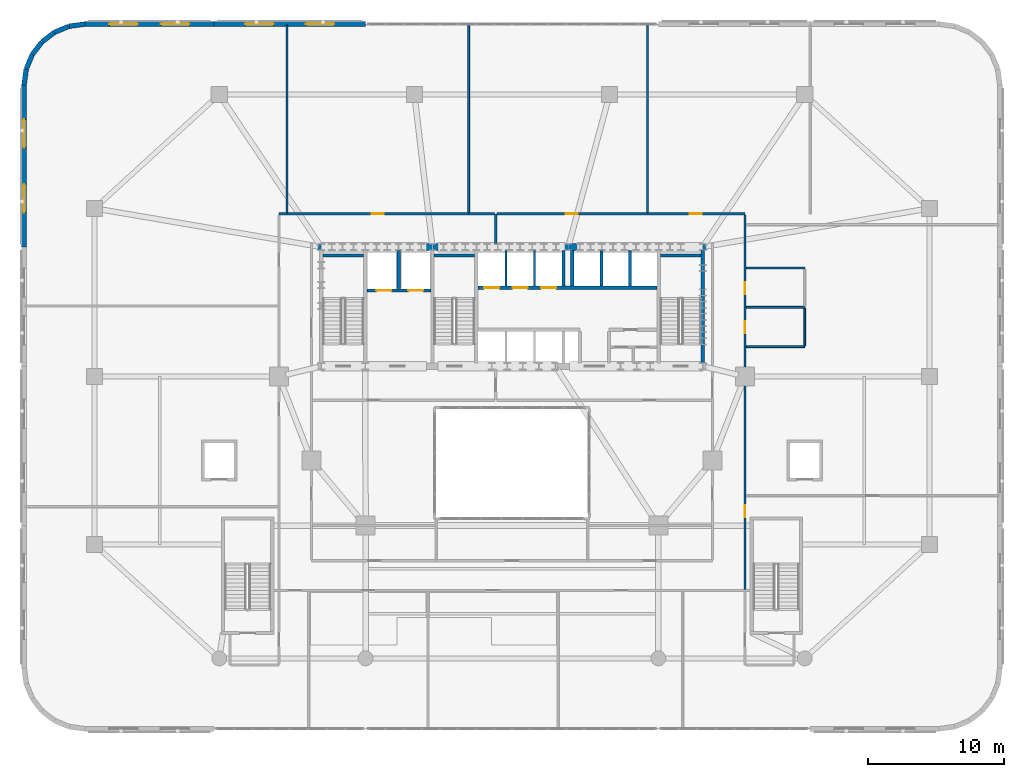
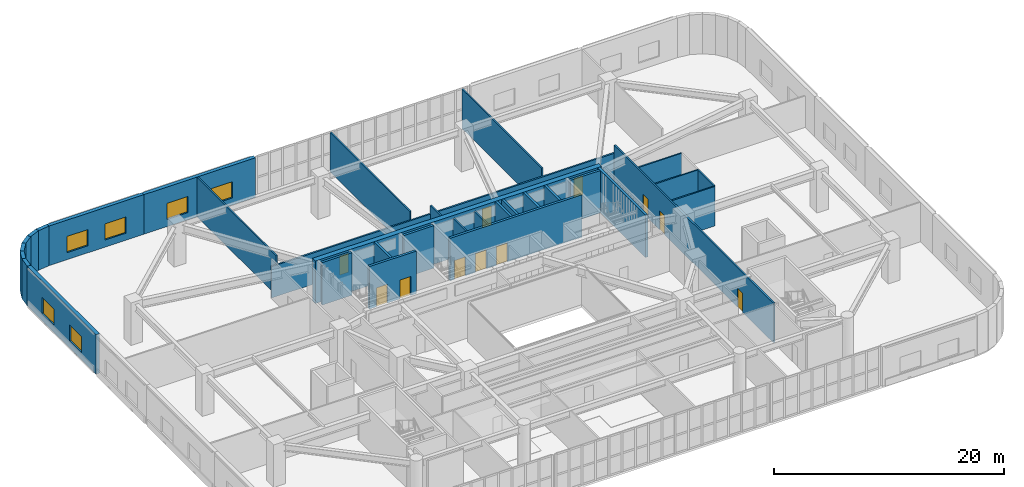
# One storey, part 16 of 25: 34 walls, 11 doors, 6 windows, 17 openings.
"""IFC4 building model written with IfcOpenShell, lengths in metres."""

from ifc_helpers import new_model, si_unit, direction, frame, frame_2d, origin, place, context, subcontext, project, spatial, rectangle, extrude, material, layer, layer_set, type_object, element, fill, save


model = new_model("IFC4")

# Units and contexts
model_context = context("Model", 3, precision=1e-05, world=origin(), true_north=direction((0.0, 1.0)))
body_context = subcontext(model_context, "Body", "Model", "MODEL_VIEW")
ifc_project = project(units=[si_unit("LENGTHUNIT", "METRE"), si_unit("AREAUNIT", "SQUARE_METRE"), si_unit("VOLUMEUNIT", "CUBIC_METRE"), si_unit("PLANEANGLEUNIT", "RADIAN"), si_unit("MASSUNIT", "GRAM", prefix="KILO")], contexts=[model_context])

# Site, building, storey
site_placement = place(None, origin())
site = spatial("IfcSite", under=ifc_project, at=site_placement, CompositionType="ELEMENT")
building_placement = place(site_placement, origin())
building = spatial("IfcBuilding", under=site, at=building_placement, Name="Haldorwick Loom Tower", CompositionType="ELEMENT")
storey_placement = place(building_placement, frame((0.0, 0.0, 15.0)))
storey = spatial("IfcBuildingStorey", under=building, at=storey_placement, Name="L03", CompositionType="ELEMENT", Elevation=15.0)

# Wall, openings, windows
ifc_material_1 = material(Name="Pressed Clay Face Brick and Insulated Masonry Backup Assembly", Category="masonry")
ifc_layer_1 = layer(ifc_material_1, 0.360107421875, Name="Pressed Clay Face Brick and Insulated Masonry Backup Assembly", Category="masonry")
ifc_layer_set_1 = layer_set([ifc_layer_1], Name="Pressed Clay Face Brick and Insulated Masonry Backup Assembly")
wall_type_1 = type_object("IfcWallType", Name="ARC-WL-EXT360", PredefinedType="STANDARD", material=ifc_layer_set_1)
wall_1_placement = place(storey_placement, frame((25.199951171875, 52.0, 0.0), z_axis=(0.0, 0.0, 1.0), x_axis=(-1.0, 0.0, 0.0)))
wall_1 = element("IfcWall", 1, at=wall_1_placement, inside=storey, type_object=wall_type_1, Name="L03 Brick Pier and Spandrel Wall 20", PredefinedType="STANDARD", context=body_context, shape_type="SweptSolid", body=[
    extrude(rectangle(XDim=11.199951171875, YDim=0.360107421875, at=frame_2d((5.60009765625, 0.0))), origin(), (0.0, 0.0, 1.0), 4.199951171875),
])
opening_1_placement = place(wall_1_placement, frame((2.31005859375, 0.0, 0.75)))
opening_1 = element("IfcOpeningElement", 2, at=opening_1_placement, cuts=wall_1, Name="Opening W-04", PredefinedType="OPENING", context=body_context, shape_type="SweptSolid", body=[
    extrude(rectangle(XDim=2.10009765625, YDim=1.719970703125, at=frame_2d((1.050048828125, 0.85986328125))), frame((0.0, 0.18994140625, 0.0), z_axis=(0.0, -1.0, 0.0), x_axis=(1.0, 0.0, 0.0)), (0.0, 0.0, 1.0), 0.380126953125),
])
opening_2_placement = place(wall_1_placement, frame((6.7900390625, 0.0, 0.75)))
opening_2 = element("IfcOpeningElement", 3, at=opening_2_placement, cuts=wall_1, Name="Opening W-04", PredefinedType="OPENING", context=body_context, shape_type="SweptSolid", body=[
    extrude(rectangle(XDim=2.10009765625, YDim=1.719970703125, at=frame_2d((1.050048828125, 0.85986328125))), frame((0.0, 0.18994140625, 0.0), z_axis=(0.0, -1.0, 0.0), x_axis=(1.0, 0.0, 0.0)), (0.0, 0.0, 1.0), 0.380126953125),
])
ifc_material_2 = material(Name="Triple-Glazed Low-E Argon Insulated Glazing Unit", Category="glass")
window_type = type_object("IfcWindowType", Name="ARC-WIN-W210", PartitioningType="SINGLE_PANEL", PredefinedType="WINDOW", material=ifc_material_2)
window_1_placement = place(opening_1_placement, origin())
window_1 = element("IfcWindow", 4, at=window_1_placement, inside=storey, type_object=window_type, Name="L03 Deep-Set Zone 7A Window 20", OverallHeight=1.719970703125, OverallWidth=2.10009765625, PartitioningType="SINGLE_PANEL", PredefinedType="WINDOW", context=body_context, shape_type="SweptSolid", body=[
    extrude(rectangle(XDim=2.10009765625, YDim=1.719970703125, at=frame_2d((1.050048828125, 0.85986328125))), frame((0.0, 0.030029296875, 0.0), z_axis=(0.0, -1.0, 0.0), x_axis=(1.0, 0.0, 0.0)), (0.0, 0.0, 1.0), 0.06005859375),
])
fill(opening_1, window_1)
window_2_placement = place(opening_2_placement, origin())
window_2 = element("IfcWindow", 5, at=window_2_placement, inside=storey, type_object=window_type, Name="L03 Deep-Set Zone 7A Window 20", OverallHeight=1.719970703125, OverallWidth=2.10009765625, PartitioningType="SINGLE_PANEL", PredefinedType="WINDOW", context=body_context, shape_type="SweptSolid", body=[
    extrude(rectangle(XDim=2.10009765625, YDim=1.719970703125, at=frame_2d((1.050048828125, 0.85986328125))), frame((0.0, 0.030029296875, 0.0), z_axis=(0.0, -1.0, 0.0), x_axis=(1.0, 0.0, 0.0)), (0.0, 0.0, 1.0), 0.06005859375),
])
fill(opening_2, window_2)

wall_2_placement = place(storey_placement, frame((14.0, 52.0, 0.0), z_axis=(0.0, 0.0, 1.0), x_axis=(-1.0, 0.0, 0.0)))
wall_2 = element("IfcWall", 6, at=wall_2_placement, inside=storey, type_object=wall_type_1, Name="L03 Brick Pier and Spandrel Wall 21", PredefinedType="STANDARD", context=body_context, shape_type="SweptSolid", body=[
    extrude(rectangle(XDim=9.5, YDim=0.360107421875, at=frame_2d((4.75, 0.0))), origin(), (0.0, 0.0, 1.0), 4.199951171875),
])
opening_3_placement = place(wall_2_placement, frame((1.800048828125, 0.0, 0.75)))
opening_3 = element("IfcOpeningElement", 7, at=opening_3_placement, cuts=wall_2, Name="Opening W-04", PredefinedType="OPENING", context=body_context, shape_type="SweptSolid", body=[
    extrude(rectangle(XDim=2.10009765625, YDim=1.719970703125, at=frame_2d((1.050048828125, 0.85986328125))), frame((0.0, 0.18994140625, 0.0), z_axis=(0.0, -1.0, 0.0), x_axis=(1.0, 0.0, 0.0)), (0.0, 0.0, 1.0), 0.380126953125),
])
opening_4_placement = place(wall_2_placement, frame((5.60009765625, 0.0, 0.75)))
opening_4 = element("IfcOpeningElement", 8, at=opening_4_placement, cuts=wall_2, Name="Opening W-04", PredefinedType="OPENING", context=body_context, shape_type="SweptSolid", body=[
    extrude(rectangle(XDim=2.10009765625, YDim=1.719970703125, at=frame_2d((1.050048828125, 0.85986328125))), frame((0.0, 0.18994140625, 0.0), z_axis=(0.0, -1.0, 0.0), x_axis=(1.0, 0.0, 0.0)), (0.0, 0.0, 1.0), 0.380126953125),
])
window_3_placement = place(opening_3_placement, origin())
window_3 = element("IfcWindow", 9, at=window_3_placement, inside=storey, type_object=window_type, Name="L03 Deep-Set Zone 7A Window 21", OverallHeight=1.719970703125, OverallWidth=2.10009765625, PartitioningType="SINGLE_PANEL", PredefinedType="WINDOW", context=body_context, shape_type="SweptSolid", body=[
    extrude(rectangle(XDim=2.10009765625, YDim=1.719970703125, at=frame_2d((1.050048828125, 0.85986328125))), frame((0.0, 0.030029296875, 0.0), z_axis=(0.0, -1.0, 0.0), x_axis=(1.0, 0.0, 0.0)), (0.0, 0.0, 1.0), 0.06005859375),
])
fill(opening_3, window_3)
window_4_placement = place(opening_4_placement, origin())
window_4 = element("IfcWindow", 10, at=window_4_placement, inside=storey, type_object=window_type, Name="L03 Deep-Set Zone 7A Window 21", OverallHeight=1.719970703125, OverallWidth=2.10009765625, PartitioningType="SINGLE_PANEL", PredefinedType="WINDOW", context=body_context, shape_type="SweptSolid", body=[
    extrude(rectangle(XDim=2.10009765625, YDim=1.719970703125, at=frame_2d((1.050048828125, 0.85986328125))), frame((0.0, 0.030029296875, 0.0), z_axis=(0.0, -1.0, 0.0), x_axis=(1.0, 0.0, 0.0)), (0.0, 0.0, 1.0), 0.06005859375),
])
fill(opening_4, window_4)

# Walls
wall_3_placement = place(storey_placement, frame((4.5, 52.0, 0.0), z_axis=(0.0, 0.0, 1.0), x_axis=(-0.991447928588, -0.130502892298, 0.0)))
element("IfcWall", 11, at=wall_3_placement, inside=storey, type_object=wall_type_1, Name="L03 Brick Pier and Spandrel Wall 22", PredefinedType="STANDARD", context=body_context, shape_type="SweptSolid", body=[
    extrude(rectangle(XDim=1.1748046875, YDim=0.360107421875, at=frame_2d((0.58740234375, 0.0))), origin(), (0.0, 0.0, 1.0), 4.199951171875),
])
wall_4_placement = place(storey_placement, frame((3.335205078125, 51.8466796875, 0.0), z_axis=(0.0, 0.0, 1.0), x_axis=(-0.923892706888, -0.382651625058, 0.0)))
element("IfcWall", 12, at=wall_4_placement, inside=storey, type_object=wall_type_1, Name="L03 Brick Pier and Spandrel Wall 23", PredefinedType="STANDARD", context=body_context, shape_type="SweptSolid", body=[
    extrude(rectangle(XDim=1.174560546875, YDim=0.360107421875, at=frame_2d((0.58740234375, 0.0))), origin(), (0.0, 0.0, 1.0), 4.199951171875),
])
for number, where, z_axis, x_axis, name in (
    (13, (2.25, 51.397216796875, 0.0), (0.0, 0.0, 1.0), (-0.79324162823, -0.60890698735, 0.0), "L03 Brick Pier and Spandrel Wall 24"),
    (14, (1.318115234375, 50.681884765625, 0.0), (0.0, 0.0, 1.0), (-0.60890698735, -0.79324162823, 0.0), "L03 Brick Pier and Spandrel Wall 25"),
):
    element("IfcWall", number, at=place(storey_placement, frame(where, z_axis=z_axis, x_axis=x_axis)), inside=storey, type_object=wall_type_1, Name=name, PredefinedType="STANDARD", context=body_context, shape_type="SweptSolid", body=[
        extrude(rectangle(XDim=1.1748046875, YDim=0.360107421875, at=frame_2d((0.58740234375, 0.0))), origin(), (0.0, 0.0, 1.0), 4.199951171875),
    ])
wall_5_placement = place(storey_placement, frame((0.602783203125, 49.75, 0.0), z_axis=(0.0, 0.0, 1.0), x_axis=(-0.382651625058, -0.923892706888, 0.0)))
element("IfcWall", 15, at=wall_5_placement, inside=storey, type_object=wall_type_1, Name="L03 Brick Pier and Spandrel Wall 26", PredefinedType="STANDARD", context=body_context, shape_type="SweptSolid", body=[
    extrude(rectangle(XDim=1.174560546875, YDim=0.360107421875, at=frame_2d((0.58740234375, 0.0))), origin(), (0.0, 0.0, 1.0), 4.199951171875),
])
wall_6_placement = place(storey_placement, frame((0.1533203125, 48.664794921875, 0.0), z_axis=(0.0, 0.0, 1.0), x_axis=(-0.130502892298, -0.991447928588, 0.0)))
element("IfcWall", 16, at=wall_6_placement, inside=storey, type_object=wall_type_1, Name="L03 Brick Pier and Spandrel Wall 27", PredefinedType="STANDARD", context=body_context, shape_type="SweptSolid", body=[
    extrude(rectangle(XDim=1.1748046875, YDim=0.360107421875, at=frame_2d((0.58740234375, 0.0))), origin(), (0.0, 0.0, 1.0), 4.199951171875),
])

# Wall, openings, windows
wall_7_placement = place(storey_placement, frame((0.0, 47.5, 0.0), z_axis=(0.0, 0.0, 1.0), x_axis=(0.0, -1.0, 0.0)))
wall_7 = element("IfcWall", 17, at=wall_7_placement, inside=storey, type_object=wall_type_1, Name="L03 Brick Pier and Spandrel Wall 28", PredefinedType="STANDARD", context=body_context, shape_type="SweptSolid", body=[
    extrude(rectangle(XDim=11.949951171875, YDim=0.360107421875, at=frame_2d((5.97509765625, 0.0))), origin(), (0.0, 0.0, 1.0), 4.199951171875),
])
opening_5_placement = place(wall_7_placement, frame((2.534912109375, 0.0, 0.75)))
opening_5 = element("IfcOpeningElement", 18, at=opening_5_placement, cuts=wall_7, Name="Opening W-04", PredefinedType="OPENING", context=body_context, shape_type="SweptSolid", body=[
    extrude(rectangle(XDim=2.10009765625, YDim=1.719970703125, at=frame_2d((1.050048828125, 0.85986328125))), frame((0.0, 0.18994140625, 0.0), z_axis=(0.0, -1.0, 0.0), x_axis=(1.0, 0.0, 0.0)), (0.0, 0.0, 1.0), 0.380126953125),
])
opening_6_placement = place(wall_7_placement, frame((7.31494140625, 0.0, 0.75)))
opening_6 = element("IfcOpeningElement", 19, at=opening_6_placement, cuts=wall_7, Name="Opening W-04", PredefinedType="OPENING", context=body_context, shape_type="SweptSolid", body=[
    extrude(rectangle(XDim=2.10009765625, YDim=1.719970703125, at=frame_2d((1.050048828125, 0.85986328125))), frame((0.0, 0.18994140625, 0.0), z_axis=(0.0, -1.0, 0.0), x_axis=(1.0, 0.0, 0.0)), (0.0, 0.0, 1.0), 0.380126953125),
])
window_5_placement = place(opening_5_placement, origin())
window_5 = element("IfcWindow", 20, at=window_5_placement, inside=storey, type_object=window_type, Name="L03 Deep-Set Zone 7A Window 28", OverallHeight=1.719970703125, OverallWidth=2.10009765625, PartitioningType="SINGLE_PANEL", PredefinedType="WINDOW", context=body_context, shape_type="SweptSolid", body=[
    extrude(rectangle(XDim=2.10009765625, YDim=1.719970703125, at=frame_2d((1.050048828125, 0.85986328125))), frame((0.0, 0.030029296875, 0.0), z_axis=(0.0, -1.0, 0.0), x_axis=(1.0, 0.0, 0.0)), (0.0, 0.0, 1.0), 0.06005859375),
])
fill(opening_5, window_5)
window_6_placement = place(opening_6_placement, origin())
window_6 = element("IfcWindow", 21, at=window_6_placement, inside=storey, type_object=window_type, Name="L03 Deep-Set Zone 7A Window 28", OverallHeight=1.719970703125, OverallWidth=2.10009765625, PartitioningType="SINGLE_PANEL", PredefinedType="WINDOW", context=body_context, shape_type="SweptSolid", body=[
    extrude(rectangle(XDim=2.10009765625, YDim=1.719970703125, at=frame_2d((1.050048828125, 0.85986328125))), frame((0.0, 0.030029296875, 0.0), z_axis=(0.0, -1.0, 0.0), x_axis=(1.0, 0.0, 0.0)), (0.0, 0.0, 1.0), 0.06005859375),
])
fill(opening_6, window_6)

# Wall
ifc_material_3 = material(Name="Fire-Rated Type X Gypsum Stud Assembly EI 60")
ifc_layer_2 = layer(ifc_material_3, 0.159912109375, Name="Fire-Rated Type X Gypsum Stud Assembly EI 60")
ifc_layer_set_2 = layer_set([ifc_layer_2], Name="Fire-Rated Type X Gypsum Stud Assembly EI 60")
wall_type_2 = type_object("IfcWallType", Name="ARC-WL-FIRE160", PredefinedType="PARTITIONING", material=ifc_layer_set_2)
wall_8_placement = place(storey_placement, frame((34.800048828125, 35.802978515625, 0.0), z_axis=(0.0, 0.0, 1.0), x_axis=(0.0, 1.0, 0.0)))
element("IfcWall", 22, at=wall_8_placement, inside=storey, type_object=wall_type_2, Name="L03 Podium Partition L03-CCN", PredefinedType="PARTITIONING", context=body_context, shape_type="SweptSolid", body=[
    extrude(rectangle(XDim=2.197021484375, YDim=0.159912109375, at=frame_2d((1.0986328125, 0.0))), origin(), (0.0, 0.0, 1.0), 4.18505859375),
])

# Wall, opening, door
wall_9_placement = place(storey_placement, frame((18.800048828125, 38.0, 0.0), z_axis=(0.0, 0.0, 1.0), x_axis=(1.0, 0.0, 0.0)))
wall_9 = element("IfcWall", 23, at=wall_9_placement, inside=storey, type_object=wall_type_2, Name="L03 Podium Partition L03-CN0", PredefinedType="PARTITIONING", context=body_context, shape_type="SweptSolid", body=[
    extrude(rectangle(XDim=15.9169921875, YDim=0.159912109375, at=frame_2d((7.95849609375, 0.0))), origin(), (0.0, 0.0, 1.0), 3.320068359375),
])
opening_7_placement = place(wall_9_placement, frame((6.84521484375, 0.0, 0.0)))
opening_7 = element("IfcOpeningElement", 24, at=opening_7_placement, cuts=wall_9, Name="Opening D-FD60A", PredefinedType="OPENING", context=body_context, shape_type="SweptSolid", body=[
    extrude(rectangle(XDim=0.89990234375, YDim=2.0, at=frame_2d((0.449951171875, 1.0))), frame((0.0, 0.08984375, 0.0), z_axis=(0.0, -1.0, 0.0), x_axis=(1.0, 0.0, 0.0)), (0.0, 0.0, 1.0), 0.179931640625),
])
ifc_material_4 = material(Name="Hollow Steel Fire Door Assembly", Category="steel")
door_type_1 = type_object("IfcDoorType", Name="ARC-DR-FD60-90", OperationType="NOTDEFINED", PredefinedType="DOOR", material=ifc_material_4)
door_1_placement = place(opening_7_placement, frame((0.89990234375, 0.0, 0.0), z_axis=(0.0, 0.0, 1.0), x_axis=(-1.0, 0.0, 0.0)))
door_1 = element("IfcDoor", 25, at=door_1_placement, inside=storey, type_object=door_type_1, Name="L03 Physiotherapy Rehabilitation Hall 22 to L03 South Clinic Corridor Do", OperationType="SINGLE_SWING_RIGHT", OverallHeight=2.0, OverallWidth=0.89990234375, PredefinedType="DOOR", context=body_context, shape_type="SweptSolid", body=[
    extrude(rectangle(XDim=0.89990234375, YDim=2.0, at=frame_2d((0.449951171875, 1.0))), frame((0.0, 0.02490234375, 0.0), z_axis=(0.0, -1.0, 0.0), x_axis=(1.0, 0.0, 0.0)), (0.0, 0.0, 1.0), 0.050048828125),
])
fill(opening_7, door_1)

# Wall, openings, doors
wall_10_placement = place(storey_placement, frame((34.883056640625, 38.0, 0.0), z_axis=(0.0, 0.0, 1.0), x_axis=(1.0, 0.0, 0.0)))
wall_10 = element("IfcWall", 26, at=wall_10_placement, inside=storey, type_object=wall_type_2, Name="L03 Podium Partition L03-CN0", PredefinedType="PARTITIONING", context=body_context, shape_type="SweptSolid", body=[
    extrude(rectangle(XDim=18.31689453125, YDim=0.159912109375, at=frame_2d((9.158447265625, 0.0))), origin(), (0.0, 0.0, 1.0), 3.320068359375),
])
opening_8_placement = place(wall_10_placement, frame((5.067138671875, 0.0, 0.0)))
opening_8 = element("IfcOpeningElement", 27, at=opening_8_placement, cuts=wall_10, Name="Opening D-FD60A", PredefinedType="OPENING", context=body_context, shape_type="SweptSolid", body=[
    extrude(rectangle(XDim=0.89990234375, YDim=2.0, at=frame_2d((0.449951171875, 1.0))), frame((0.0, 0.08984375, 0.0), z_axis=(0.0, -1.0, 0.0), x_axis=(1.0, 0.0, 0.0)), (0.0, 0.0, 1.0), 0.179931640625),
])
opening_9_placement = place(wall_10_placement, frame((14.2255859375, 0.0, 0.0)))
opening_9 = element("IfcOpeningElement", 28, at=opening_9_placement, cuts=wall_10, Name="Opening D-FD60A", PredefinedType="OPENING", context=body_context, shape_type="SweptSolid", body=[
    extrude(rectangle(XDim=0.89990234375, YDim=2.0, at=frame_2d((0.449951171875, 1.0))), frame((0.0, 0.08984375, 0.0), z_axis=(0.0, -1.0, 0.0), x_axis=(1.0, 0.0, 0.0)), (0.0, 0.0, 1.0), 0.179931640625),
])
door_2_placement = place(opening_8_placement, frame((0.89990234375, 0.0, 0.0), z_axis=(0.0, 0.0, 1.0), x_axis=(-1.0, 0.0, 0.0)))
door_2 = element("IfcDoor", 29, at=door_2_placement, inside=storey, type_object=door_type_1, Name="L03 Maternal Health Office 23 to L03 South Clinic Corridor Door", OperationType="SINGLE_SWING_RIGHT", OverallHeight=2.0, OverallWidth=0.89990234375, PredefinedType="DOOR", context=body_context, shape_type="SweptSolid", body=[
    extrude(rectangle(XDim=0.89990234375, YDim=2.0, at=frame_2d((0.449951171875, 1.0))), frame((0.0, 0.02490234375, 0.0), z_axis=(0.0, -1.0, 0.0), x_axis=(1.0, 0.0, 0.0)), (0.0, 0.0, 1.0), 0.050048828125),
])
fill(opening_8, door_2)
door_3_placement = place(opening_9_placement, frame((0.89990234375, 0.0, 0.0), z_axis=(0.0, 0.0, 1.0), x_axis=(-1.0, 0.0, 0.0)))
door_3 = element("IfcDoor", 30, at=door_3_placement, inside=storey, type_object=door_type_1, Name="L03 Outpatient Waiting Hall 21 to L03 South Clinic Corridor Door", OperationType="SINGLE_SWING_RIGHT", OverallHeight=2.0, OverallWidth=0.89990234375, PredefinedType="DOOR", context=body_context, shape_type="SweptSolid", body=[
    extrude(rectangle(XDim=0.89990234375, YDim=2.0, at=frame_2d((0.449951171875, 1.0))), frame((0.0, 0.02490234375, 0.0), z_axis=(0.0, -1.0, 0.0), x_axis=(1.0, 0.0, 0.0)), (0.0, 0.0, 1.0), 0.050048828125),
])
fill(opening_9, door_3)

wall_11_placement = place(storey_placement, frame((53.199951171875, 10.282958984375, 0.0), z_axis=(0.0, 0.0, 1.0), x_axis=(0.0, 1.0, 0.0)))
wall_11 = element("IfcWall", 31, at=wall_11_placement, inside=storey, type_object=wall_type_2, Name="L03 Podium Partition L03-CE0", PredefinedType="PARTITIONING", context=body_context, shape_type="SweptSolid", body=[
    extrude(rectangle(XDim=27.634033203125, YDim=0.159912109375, at=frame_2d((13.81689453125, 0.0))), origin(), (0.0, 0.0, 1.0), 4.18505859375),
])
opening_10_placement = place(wall_11_placement, frame((5.31298828125, 0.0, 0.0)))
opening_10 = element("IfcOpeningElement", 32, at=opening_10_placement, cuts=wall_11, Name="Opening D-FD60A", PredefinedType="OPENING", context=body_context, shape_type="SweptSolid", body=[
    extrude(rectangle(XDim=0.89990234375, YDim=2.0, at=frame_2d((0.449951171875, 1.0))), frame((0.0, 0.08984375, 0.0), z_axis=(0.0, -1.0, 0.0), x_axis=(1.0, 0.0, 0.0)), (0.0, 0.0, 1.0), 0.179931640625),
])
opening_11_placement = place(wall_11_placement, frame((18.893798828125, 0.0, 0.0)))
opening_11 = element("IfcOpeningElement", 33, at=opening_11_placement, cuts=wall_11, Name="Opening D-FD60A", PredefinedType="OPENING", context=body_context, shape_type="SweptSolid", body=[
    extrude(rectangle(XDim=0.89990234375, YDim=2.0, at=frame_2d((0.449951171875, 1.0))), frame((0.0, 0.08984375, 0.0), z_axis=(0.0, -1.0, 0.0), x_axis=(1.0, 0.0, 0.0)), (0.0, 0.0, 1.0), 0.179931640625),
])
opening_12_placement = place(wall_11_placement, frame((21.767578125, 0.0, 0.0)))
opening_12 = element("IfcOpeningElement", 34, at=opening_12_placement, cuts=wall_11, Name="Opening D-FD60A", PredefinedType="OPENING", context=body_context, shape_type="SweptSolid", body=[
    extrude(rectangle(XDim=0.89990234375, YDim=2.0, at=frame_2d((0.449951171875, 1.0))), frame((0.0, 0.08984375, 0.0), z_axis=(0.0, -1.0, 0.0), x_axis=(1.0, 0.0, 0.0)), (0.0, 0.0, 1.0), 0.179931640625),
])
door_4_placement = place(opening_10_placement, origin())
door_4 = element("IfcDoor", 35, at=door_4_placement, inside=storey, type_object=door_type_1, Name="L03 L03 South Clinic Corridor to Physiotherapy Rehabilitation Hall 7 Doo", OperationType="SINGLE_SWING_LEFT", OverallHeight=2.0, OverallWidth=0.89990234375, PredefinedType="DOOR", context=body_context, shape_type="SweptSolid", body=[
    extrude(rectangle(XDim=0.89990234375, YDim=2.0, at=frame_2d((0.449951171875, 1.0))), frame((0.0, 0.02490234375, 0.0), z_axis=(0.0, -1.0, 0.0), x_axis=(1.0, 0.0, 0.0)), (0.0, 0.0, 1.0), 0.050048828125),
])
fill(opening_10, door_4)
door_5_placement = place(opening_11_placement, origin())
door_5 = element("IfcDoor", 36, at=door_5_placement, inside=storey, type_object=door_type_1, Name="L03 L03 South Clinic Corridor to Public Washroom Door", OperationType="SINGLE_SWING_LEFT", OverallHeight=2.0, OverallWidth=0.89990234375, PredefinedType="DOOR", context=body_context, shape_type="SweptSolid", body=[
    extrude(rectangle(XDim=0.89990234375, YDim=2.0, at=frame_2d((0.449951171875, 1.0))), frame((0.0, 0.02490234375, 0.0), z_axis=(0.0, -1.0, 0.0), x_axis=(1.0, 0.0, 0.0)), (0.0, 0.0, 1.0), 0.050048828125),
])
fill(opening_11, door_5)
door_6_placement = place(opening_12_placement, origin())
door_6 = element("IfcDoor", 37, at=door_6_placement, inside=storey, type_object=door_type_1, Name="L03 L03 South Clinic Corridor to Accessible WC Door", OperationType="SINGLE_SWING_RIGHT", OverallHeight=2.0, OverallWidth=0.89990234375, PredefinedType="DOOR", context=body_context, shape_type="SweptSolid", body=[
    extrude(rectangle(XDim=0.89990234375, YDim=2.0, at=frame_2d((0.449951171875, 1.0))), frame((0.0, 0.02490234375, 0.0), z_axis=(0.0, -1.0, 0.0), x_axis=(1.0, 0.0, 0.0)), (0.0, 0.0, 1.0), 0.050048828125),
])
fill(opening_12, door_6)

# Walls
ifc_layer_3 = layer(ifc_material_3, 0.139892578125, Name="Fire-Rated Type X Gypsum Stud Assembly EI 60")
ifc_layer_set_3 = layer_set([ifc_layer_3], Name="Fire-Rated Type X Gypsum Stud Assembly EI 60")
wall_type_3 = type_object("IfcWallType", Name="ARC-WL-PART140", PredefinedType="PARTITIONING", material=ifc_layer_set_3)
for number, where, z_axis, x_axis, name in (
    (38, (53.282958984375, 28.199951171875, 0.0), (0.0, 0.0, 1.0), (1.0, 0.0, 0.0), "L03 Podium Partition L03-WC1"),
    (39, (53.282958984375, 31.10009765625, 0.0), (0.0, 0.0, 1.0), (1.0, 0.0, 0.0), "L03 Podium Partition L03-WC2"),
    (40, (53.282958984375, 34.0, 0.0), (0.0, 0.0, 1.0), (1.0, 0.0, 0.0), "L03 Podium Partition L03-WC3"),
):
    element("IfcWall", number, at=place(storey_placement, frame(where, z_axis=z_axis, x_axis=x_axis)), inside=storey, type_object=wall_type_3, Name=name, PredefinedType="PARTITIONING", context=body_context, shape_type="SweptSolid", body=[
        extrude(rectangle(XDim=4.317138671875, YDim=0.139892578125, at=frame_2d((2.15869140625, 0.0))), origin(), (0.0, 0.0, 1.0), 4.18505859375),
    ])
wall_12_placement = place(storey_placement, frame((57.60009765625, 28.27294921875, 0.0), z_axis=(0.0, 0.0, 1.0), x_axis=(0.0, 1.0, 0.0)))
element("IfcWall", 41, at=wall_12_placement, inside=storey, type_object=wall_type_3, Name="L03 Podium Partition L03-WC4", PredefinedType="PARTITIONING", context=body_context, shape_type="SweptSolid", body=[
    extrude(rectangle(XDim=2.754150390625, YDim=0.139892578125, at=frame_2d((1.376953125, 0.0))), origin(), (0.0, 0.0, 1.0), 4.18505859375),
])
for number, where, z_axis, x_axis, name in (
    (42, (19.39990234375, 38.0830078125, 0.0), (0.0, 0.0, 1.0), (0.0, 1.0, 0.0), "L03 Podium Partition L03-PN-0"),
    (43, (32.800048828125, 38.0830078125, 0.0), (0.0, 0.0, 1.0), (0.0, 1.0, 0.0), "L03 Podium Partition L03-PN-1"),
    (44, (46.0, 38.0830078125, 0.0), (0.0, 0.0, 1.0), (0.0, 1.0, 0.0), "L03 Podium Partition L03-PN-2"),
):
    element("IfcWall", number, at=place(storey_placement, frame(where, z_axis=z_axis, x_axis=x_axis)), inside=storey, type_object=wall_type_3, Name=name, PredefinedType="PARTITIONING", context=body_context, shape_type="SweptSolid", body=[
        extrude(rectangle(XDim=13.81689453125, YDim=0.139892578125, at=frame_2d((6.908447265625, 0.0))), origin(), (0.0, 0.0, 1.0), 4.18505859375),
    ])
ifc_material_5 = material(Name="Fire-Rated Type X Gypsum Stud Assembly EI 120")
ifc_layer_4 = layer(ifc_material_5, 0.1650390625, Name="Fire-Rated Type X Gypsum Stud Assembly EI 120")
ifc_layer_set_4 = layer_set([ifc_layer_4], Name="Fire-Rated Type X Gypsum Stud Assembly EI 120")
wall_type_4 = type_object("IfcWallType", Name="ARC-WL-SHAFT160", PredefinedType="MOVABLE", material=ifc_layer_set_4)
for number, where, z_axis, x_axis, name in (
    (45, (35.550048828125, 32.673095703125, 0.0), (0.0, 0.0, 1.0), (0.0, 1.0, 0.0), "L03 Low-Rise Hoistway Divider 1"),
    (46, (37.64990234375, 32.673095703125, 0.0), (0.0, 0.0, 1.0), (0.0, 1.0, 0.0), "L03 Low-Rise Hoistway Divider 2"),
):
    element("IfcWall", number, at=place(storey_placement, frame(where, z_axis=z_axis, x_axis=x_axis)), inside=storey, type_object=wall_type_4, Name=name, PredefinedType="MOVABLE", context=body_context, shape_type="SweptSolid", body=[
        extrude(rectangle(XDim=2.6240234375, YDim=0.159912109375, at=frame_2d((1.31201171875, 0.0))), origin(), (0.0, 0.0, 1.0), 4.18505859375),
    ])
ifc_material_6 = material(Name="Concrete C60 (60 MPa)", Category="concrete")
ifc_layer_5 = layer(ifc_material_6, 0.5, Name="Concrete C60 (60 MPa)", Category="concrete")
ifc_layer_set_5 = layer_set([ifc_layer_5], Name="Concrete C60 (60 MPa)")
wall_type_5 = type_object("IfcWallType", Name="STR-WL-CORE500", PredefinedType="SHEAR", material=ifc_layer_set_5)
wall_13_placement = place(storey_placement, frame((50.35009765625, 35.550048828125, 0.0), z_axis=(0.0, 0.0, 1.0), x_axis=(-1.0, 0.0, 0.0)))
element("IfcWall", 47, at=wall_13_placement, inside=storey, type_object=wall_type_5, Name="L03 Core Shear Wall N", PredefinedType="SHEAR", context=body_context, shape_type="SweptSolid", body=[
    extrude(rectangle(XDim=28.7001953125, YDim=0.5, at=frame_2d((14.35009765625, 0.0))), origin(), (0.0, 0.0, 1.0), 4.5),
])
ifc_material_7 = material(Name="Concrete C50 (50 MPa)", Category="concrete")
ifc_layer_6 = layer(ifc_material_7, 0.239990234375, Name="Concrete C50 (50 MPa)", Category="concrete")
ifc_layer_set_6 = layer_set([ifc_layer_6], Name="Concrete C50 (50 MPa)")
wall_type_6 = type_object("IfcWallType", Name="STR-WL-SHAFT240", PredefinedType="SHEAR", material=ifc_layer_set_6)
wall_14_placement = place(storey_placement, frame((50.070068359375, 27.0029296875, 0.0), z_axis=(0.0, 0.0, 1.0), x_axis=(0.0, 1.0, 0.0)))
element("IfcWall", 48, at=wall_14_placement, inside=storey, type_object=wall_type_6, Name="L03 Core Shear Wall E", PredefinedType="SHEAR", context=body_context, shape_type="SweptSolid", body=[
    extrude(rectangle(XDim=8.294189453125, YDim=0.239990234375, at=frame_2d((4.14697265625, 0.0))), origin(), (0.0, 0.0, 1.0), 4.5),
])
for number, where, z_axis, x_axis, name in (
    (49, (22.052978515625, 34.919921875, 0.0), (0.0, 0.0, 1.0), (1.0, 0.0, 0.0), "L03 Core Shear Wall 1N"),
    (50, (30.2529296875, 34.919921875, 0.0), (0.0, 0.0, 1.0), (1.0, 0.0, 0.0), "L03 Core Shear Wall 3N"),
    (51, (46.952880859375, 34.919921875, 0.0), (0.0, 0.0, 1.0), (1.0, 0.0, 0.0), "L03 Core Shear Wall 4N"),
):
    element("IfcWall", number, at=place(storey_placement, frame(where, z_axis=z_axis, x_axis=x_axis)), inside=storey, type_object=wall_type_6, Name=name, PredefinedType="SHEAR", context=body_context, shape_type="SweptSolid", body=[
        extrude(rectangle(XDim=2.994140625, YDim=0.239990234375, at=frame_2d((1.4970703125, 0.0))), origin(), (0.0, 0.0, 1.0), 4.5),
    ])

# Wall, openings, doors
wall_15_placement = place(storey_placement, frame((25.29296875, 32.35009765625, 0.0), z_axis=(0.0, 0.0, 1.0), x_axis=(1.0, 0.0, 0.0)))
wall_15 = element("IfcWall", 52, at=wall_15_placement, inside=storey, type_object=wall_type_6, Name="L03 Core Shear Wall FF", PredefinedType="SHEAR", context=body_context, shape_type="SweptSolid", body=[
    extrude(rectangle(XDim=4.714111328125, YDim=0.239990234375, at=frame_2d((2.35693359375, 0.0))), origin(), (0.0, 0.0, 1.0), 4.5),
])
opening_13_placement = place(wall_15_placement, frame((0.70703125, 0.0, 0.0)))
opening_13 = element("IfcOpeningElement", 53, at=opening_13_placement, cuts=wall_15, Name="Opening LD-FF1", PredefinedType="OPENING", context=body_context, shape_type="SweptSolid", body=[
    extrude(rectangle(XDim=1.10009765625, YDim=2.0, at=frame_2d((0.550048828125, 1.0))), frame((0.0, 0.1298828125, 0.0), z_axis=(0.0, -1.0, 0.0), x_axis=(1.0, 0.0, 0.0)), (0.0, 0.0, 1.0), 0.260009765625),
])
opening_14_placement = place(wall_15_placement, frame((3.056884765625, 0.0, 0.0)))
opening_14 = element("IfcOpeningElement", 54, at=opening_14_placement, cuts=wall_15, Name="Opening LD-FF2", PredefinedType="OPENING", context=body_context, shape_type="SweptSolid", body=[
    extrude(rectangle(XDim=1.10009765625, YDim=2.0, at=frame_2d((0.550048828125, 1.0))), frame((0.0, 0.1298828125, 0.0), z_axis=(0.0, -1.0, 0.0), x_axis=(1.0, 0.0, 0.0)), (0.0, 0.0, 1.0), 0.260009765625),
])
door_type_2 = type_object("IfcDoorType", Name="ARC-DR-LD-FF", OperationType="NOTDEFINED", PredefinedType="USERDEFINED", material=ifc_material_4)
door_7_placement = place(opening_13_placement, origin())
door_7 = element("IfcDoor", 55, at=door_7_placement, inside=storey, type_object=door_type_2, Name="L03 Lift LF-FF1 Sliding Landing Door", ObjectType="LANDING DOOR", OperationType="DOUBLE_DOOR_SLIDING", OverallHeight=2.0, OverallWidth=1.10009765625, PredefinedType="USERDEFINED", context=body_context, shape_type="SweptSolid", body=[
    extrude(rectangle(XDim=1.10009765625, YDim=2.0, at=frame_2d((0.550048828125, 1.0))), frame((0.0, 0.02490234375, 0.0), z_axis=(0.0, -1.0, 0.0), x_axis=(1.0, 0.0, 0.0)), (0.0, 0.0, 1.0), 0.050048828125),
])
fill(opening_13, door_7)
door_8_placement = place(opening_14_placement, origin())
door_8 = element("IfcDoor", 56, at=door_8_placement, inside=storey, type_object=door_type_2, Name="L03 Lift LF-FF2 Sliding Landing Door", ObjectType="LANDING DOOR", OperationType="DOUBLE_DOOR_SLIDING", OverallHeight=2.0, OverallWidth=1.10009765625, PredefinedType="USERDEFINED", context=body_context, shape_type="SweptSolid", body=[
    extrude(rectangle(XDim=1.10009765625, YDim=2.0, at=frame_2d((0.550048828125, 1.0))), frame((0.0, 0.02490234375, 0.0), z_axis=(0.0, -1.0, 0.0), x_axis=(1.0, 0.0, 0.0)), (0.0, 0.0, 1.0), 0.050048828125),
])
fill(opening_14, door_8)

# Wall
wall_16_placement = place(storey_placement, frame((27.64990234375, 32.472900390625, 0.0), z_axis=(0.0, 0.0, 1.0), x_axis=(0.0, 1.0, 0.0)))
element("IfcWall", 57, at=wall_16_placement, inside=storey, type_object=wall_type_6, Name="L03 Core Shear Wall FFD", PredefinedType="SHEAR", context=body_context, shape_type="SweptSolid", body=[
    extrude(rectangle(XDim=2.82421875, YDim=0.239990234375, at=frame_2d((1.412109375, 0.0))), origin(), (0.0, 0.0, 1.0), 4.5),
])

# Wall, openings, doors
wall_17_placement = place(storey_placement, frame((33.492919921875, 32.550048828125, 0.0), z_axis=(0.0, 0.0, 1.0), x_axis=(1.0, 0.0, 0.0)))
wall_17 = element("IfcWall", 58, at=wall_17_placement, inside=storey, type_object=wall_type_6, Name="L03 Core Shear Wall LN", PredefinedType="SHEAR", context=body_context, shape_type="SweptSolid", body=[
    extrude(rectangle(XDim=13.214111328125, YDim=0.239990234375, at=frame_2d((6.60693359375, 0.0))), origin(), (0.0, 0.0, 1.0), 4.5),
])
opening_15_placement = place(wall_17_placement, frame((0.447021484375, 0.0, 0.0)))
opening_15 = element("IfcOpeningElement", 59, at=opening_15_placement, cuts=wall_17, Name="Opening LD-L1", PredefinedType="OPENING", context=body_context, shape_type="SweptSolid", body=[
    extrude(rectangle(XDim=1.1201171875, YDim=2.0, at=frame_2d((0.56005859375, 1.0))), frame((0.0, 0.1298828125, 0.0), z_axis=(0.0, -1.0, 0.0), x_axis=(1.0, 0.0, 0.0)), (0.0, 0.0, 1.0), 0.260009765625),
])
opening_16_placement = place(wall_17_placement, frame((2.547119140625, 0.0, 0.0)))
opening_16 = element("IfcOpeningElement", 60, at=opening_16_placement, cuts=wall_17, Name="Opening LD-L2", PredefinedType="OPENING", context=body_context, shape_type="SweptSolid", body=[
    extrude(rectangle(XDim=1.1201171875, YDim=2.0, at=frame_2d((0.56005859375, 1.0))), frame((0.0, 0.1298828125, 0.0), z_axis=(0.0, -1.0, 0.0), x_axis=(1.0, 0.0, 0.0)), (0.0, 0.0, 1.0), 0.260009765625),
])
opening_17_placement = place(wall_17_placement, frame((4.64697265625, 0.0, 0.0)))
opening_17 = element("IfcOpeningElement", 61, at=opening_17_placement, cuts=wall_17, Name="Opening LD-L3", PredefinedType="OPENING", context=body_context, shape_type="SweptSolid", body=[
    extrude(rectangle(XDim=1.1201171875, YDim=2.0, at=frame_2d((0.56005859375, 1.0))), frame((0.0, 0.1298828125, 0.0), z_axis=(0.0, -1.0, 0.0), x_axis=(1.0, 0.0, 0.0)), (0.0, 0.0, 1.0), 0.260009765625),
])
door_type_3 = type_object("IfcDoorType", Name="ARC-DR-LD-PAX", OperationType="NOTDEFINED", PredefinedType="USERDEFINED", material=ifc_material_4)
door_9_placement = place(opening_15_placement, origin())
door_9 = element("IfcDoor", 62, at=door_9_placement, inside=storey, type_object=door_type_3, Name="L03 Lift LF-L1 Sliding Landing Door", ObjectType="LANDING DOOR", OperationType="DOUBLE_DOOR_SLIDING", OverallHeight=2.0, OverallWidth=1.1201171875, PredefinedType="USERDEFINED", context=body_context, shape_type="SweptSolid", body=[
    extrude(rectangle(XDim=1.1201171875, YDim=2.0, at=frame_2d((0.56005859375, 1.0))), frame((0.0, 0.02490234375, 0.0), z_axis=(0.0, -1.0, 0.0), x_axis=(1.0, 0.0, 0.0)), (0.0, 0.0, 1.0), 0.050048828125),
])
fill(opening_15, door_9)
door_10_placement = place(opening_16_placement, origin())
door_10 = element("IfcDoor", 63, at=door_10_placement, inside=storey, type_object=door_type_3, Name="L03 Lift LF-L2 Sliding Landing Door", ObjectType="LANDING DOOR", OperationType="DOUBLE_DOOR_SLIDING", OverallHeight=2.0, OverallWidth=1.1201171875, PredefinedType="USERDEFINED", context=body_context, shape_type="SweptSolid", body=[
    extrude(rectangle(XDim=1.1201171875, YDim=2.0, at=frame_2d((0.56005859375, 1.0))), frame((0.0, 0.02490234375, 0.0), z_axis=(0.0, -1.0, 0.0), x_axis=(1.0, 0.0, 0.0)), (0.0, 0.0, 1.0), 0.050048828125),
])
fill(opening_16, door_10)
door_11_placement = place(opening_17_placement, origin())
door_11 = element("IfcDoor", 64, at=door_11_placement, inside=storey, type_object=door_type_3, Name="L03 Lift LF-L3 Sliding Landing Door", ObjectType="LANDING DOOR", OperationType="DOUBLE_DOOR_SLIDING", OverallHeight=2.0, OverallWidth=1.1201171875, PredefinedType="USERDEFINED", context=body_context, shape_type="SweptSolid", body=[
    extrude(rectangle(XDim=1.1201171875, YDim=2.0, at=frame_2d((0.56005859375, 1.0))), frame((0.0, 0.02490234375, 0.0), z_axis=(0.0, -1.0, 0.0), x_axis=(1.0, 0.0, 0.0)), (0.0, 0.0, 1.0), 0.050048828125),
])
fill(opening_17, door_11)

# Walls
for number, where, z_axis, x_axis, name in (
    (65, (39.800048828125, 32.673095703125, 0.0), (0.0, 0.0, 1.0), (0.0, 1.0, 0.0), "L03 Core Shear Wall LHW"),
    (66, (40.449951171875, 32.673095703125, 0.0), (0.0, 0.0, 1.0), (0.0, 1.0, 0.0), "L03 Core Shear Wall H0"),
    (67, (42.60009765625, 32.673095703125, 0.0), (0.0, 0.0, 1.0), (0.0, 1.0, 0.0), "L03 Core Shear Wall H1"),
    (68, (44.699951171875, 32.673095703125, 0.0), (0.0, 0.0, 1.0), (0.0, 1.0, 0.0), "L03 Core Shear Wall H2"),
):
    element("IfcWall", number, at=place(storey_placement, frame(where, z_axis=z_axis, x_axis=x_axis)), inside=storey, type_object=wall_type_6, Name=name, PredefinedType="SHEAR", context=body_context, shape_type="SweptSolid", body=[
        extrude(rectangle(XDim=2.6240234375, YDim=0.239990234375, at=frame_2d((1.31201171875, 0.0))), origin(), (0.0, 0.0, 1.0), 4.5),
    ])

save(model, "model.ifc")
